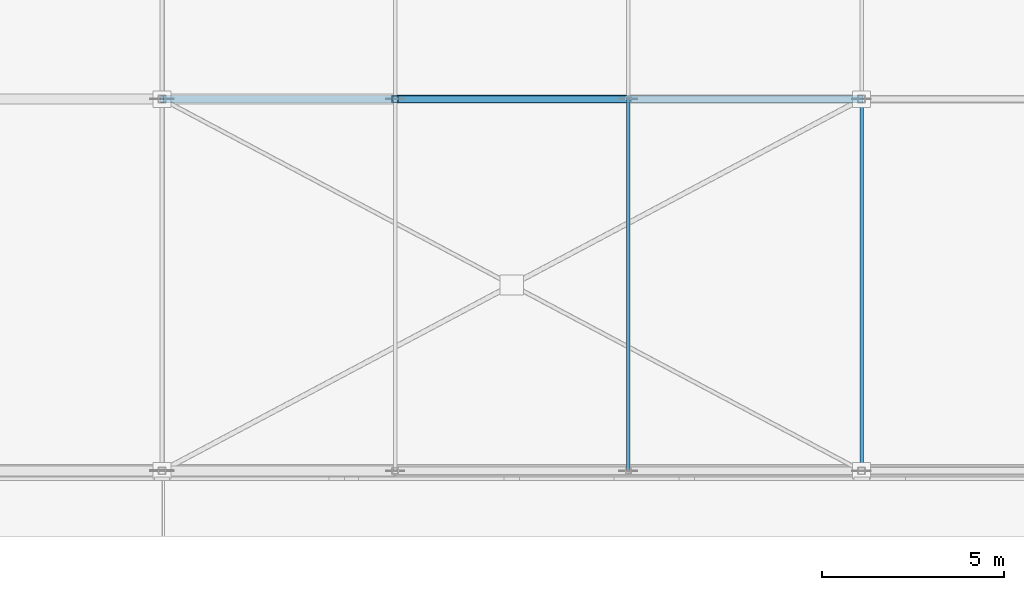
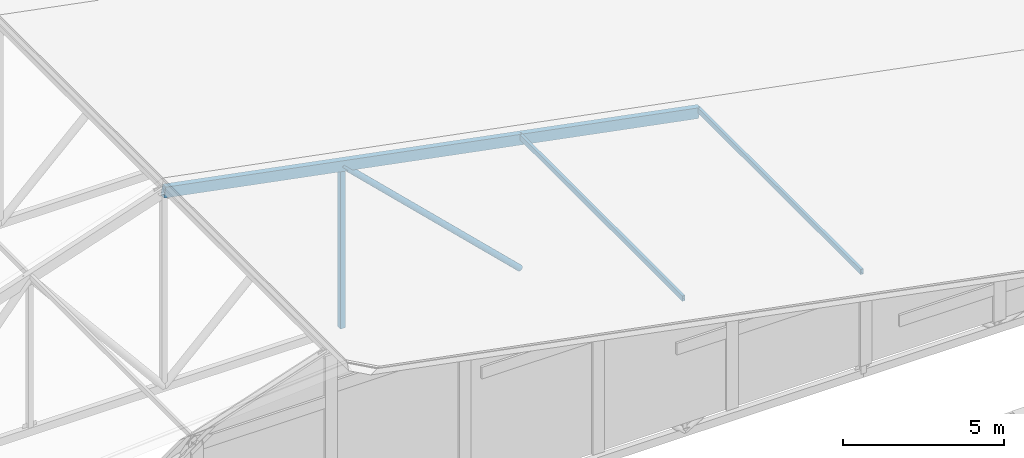
# One storey, part 24 of 200: 5 members.
"""IFC4 building model written with IfcOpenShell, lengths in metres."""

from ifc_helpers import new_model, si_unit, direction, frame, origin, origin_2d, place, context, subcontext, project, spatial, hollow_rectangle, hollow_circle, extrude, material, material_profile, profile_set, type_object, element, save


model = new_model("IFC4")

# Units and contexts
model_context = context("Model", 3, precision=1e-05, world=origin(), true_north=direction((0.0, 1.0)))
body_context = subcontext(model_context, "Body", "Model", "MODEL_VIEW")
ifc_project = project(units=[si_unit("LENGTHUNIT", "METRE"), si_unit("AREAUNIT", "SQUARE_METRE"), si_unit("VOLUMEUNIT", "CUBIC_METRE"), si_unit("PLANEANGLEUNIT", "RADIAN"), si_unit("MASSUNIT", "GRAM", prefix="KILO")], contexts=[model_context])

# Site, building, storey
site_placement = place(None, origin())
site = spatial("IfcSite", under=ifc_project, at=site_placement, CompositionType="ELEMENT")
building_placement = place(site_placement, origin())
building = spatial("IfcBuilding", under=site, at=building_placement, Name="Vondelvale Polytechnic", CompositionType="ELEMENT")
storey_placement = place(building_placement, frame((0.0, 0.0, 13.800048828125)))
storey = spatial("IfcBuildingStorey", under=building, at=storey_placement, Name="L03", CompositionType="ELEMENT", Elevation=13.800048828125)

# Members
ifc_material = material(Name="Steel C350L0 (fy = 350 MPa)", Category="steel")
ifc_material_profile_1 = material_profile(ifc_material, hollow_rectangle(XDim=0.10009765625, YDim=0.199951171875, WallThickness=0.006103515625, at=origin_2d()), Name="200x100x6.0RHS")
ifc_profile_set_1 = profile_set([ifc_material_profile_1], Name="Steel C350L0 (fy = 350 MPa)")
member_type_1 = type_object("IfcMemberType", Name="PURLIN RHS200", PredefinedType="PURLIN", material=ifc_profile_set_1)
for number, where, z_axis, x_axis, name in (
    (1, (22.39990234375, 51.0, 4.614501953125), (0.0, 1.0, 0.0), (-1.0, 0.0, 0.0), "Workshop roof purlin bay 1"),
    (2, (28.800048828125, 51.0, 3.38134765625), (0.0, 1.0, 0.0), (-1.0, 0.0, 0.0), "Workshop roof purlin bay 1"),
):
    element("IfcMember", number, at=place(storey_placement, frame(where, z_axis=z_axis, x_axis=x_axis)), inside=storey, type_object=member_type_1, Name=name, PredefinedType="PURLIN", context=body_context, shape_type="SweptSolid", body=[
        extrude(hollow_rectangle(XDim=0.10009765625, YDim=0.199951171875, WallThickness=0.006103515625, at=origin_2d()), origin(), (0.0, 0.0, 1.0), 10.199951171875),
    ])
ifc_material_profile_2 = material_profile(ifc_material, hollow_circle(Radius=0.109619140625, WallThickness=0.00830078125, at=origin_2d()), Name="219.1x8.2CHS")
ifc_profile_set_2 = profile_set([ifc_material_profile_2], Name="Steel C350L0 (fy = 350 MPa)")
member_type_2 = type_object("IfcMemberType", Name="ROOF TRUSS BRACE 219CHS", PredefinedType="BRACE", material=ifc_profile_set_2)
member_1_placement = place(storey_placement, frame((16.0, 61.199951171875, 5.74658203125), z_axis=(0.720102098263, 0.0, -0.69386812009), x_axis=(0.0, 1.0, 0.0)))
element("IfcMember", 3, at=member_1_placement, inside=storey, type_object=member_type_2, Name="ROOF TRUSS TR-02 web diagonal 4", PredefinedType="BRACE", context=body_context, shape_type="SweptSolid", body=[
    extrude(hollow_circle(Radius=0.109619140625, WallThickness=0.00830078125, at=origin_2d()), origin(), (0.0, 0.0, 1.0), 8.887451171875),
])
ifc_material_profile_3 = material_profile(ifc_material, hollow_rectangle(XDim=0.175048828125, YDim=0.175048828125, WallThickness=0.006103515625, at=origin_2d()), Name="175x175x6.0SHS")
ifc_profile_set_3 = profile_set([ifc_material_profile_3], Name="Steel C350L0 (fy = 350 MPa)")
member_type_3 = type_object("IfcMemberType", Name="ROOF TRUSS POST 175SHS", PredefinedType="POST", material=ifc_profile_set_3)
member_2_placement = place(storey_placement, frame((16.0, 61.199951171875, -0.420166015625), z_axis=(0.0, 0.0, 1.0), x_axis=(1.0, 0.0, 0.0)))
element("IfcMember", 4, at=member_2_placement, inside=storey, type_object=member_type_3, Name="ROOF TRUSS TR-02 vertical post 3", PredefinedType="POST", context=body_context, shape_type="SweptSolid", body=[
    extrude(hollow_rectangle(XDim=0.175048828125, YDim=0.175048828125, WallThickness=0.006103515625, at=origin_2d()), origin(), (0.0, 0.0, 1.0), 6.166748046875),
])
ifc_material_profile_4 = material_profile(ifc_material, hollow_rectangle(XDim=0.199951171875, YDim=0.39990234375, WallThickness=0.010009765625, at=origin_2d()), Name="400x200x10.0RHS")
ifc_profile_set_4 = profile_set([ifc_material_profile_4], Name="Steel C350L0 (fy = 350 MPa)")
member_type_4 = type_object("IfcMemberType", Name="ROOF TRUSS TOP CHORD 400RHS", PredefinedType="CHORD", material=ifc_profile_set_4)
member_3_placement = place(storey_placement, frame((9.60009765625, 61.199951171875, 6.97998046875), z_axis=(0.981933791982, 0.0, -0.189224808533), x_axis=(0.0, 1.0, 0.0)))
element("IfcMember", 5, at=member_3_placement, inside=storey, type_object=member_type_4, Name="ROOF TRUSS TR-02 top chord 3", PredefinedType="CHORD", context=body_context, shape_type="SweptSolid", body=[
    extrude(hollow_rectangle(XDim=0.199951171875, YDim=0.39990234375, WallThickness=0.010009765625, at=origin_2d()), origin(), (0.0, 0.0, 1.0), 19.55322265625),
])

save(model, "model.ifc")
